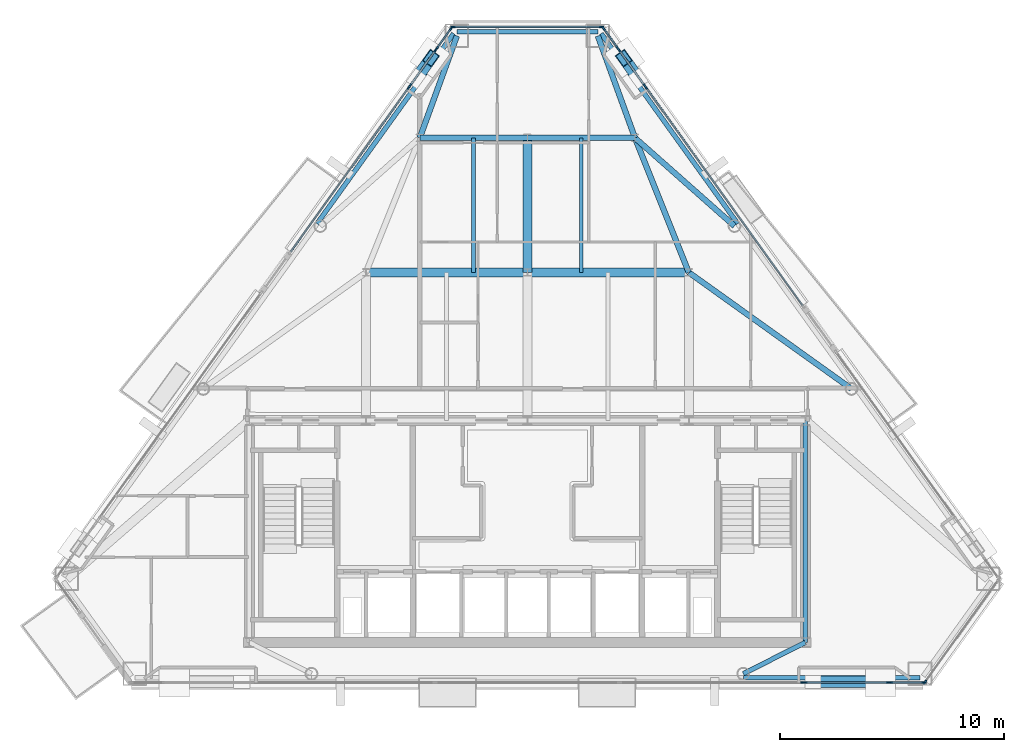
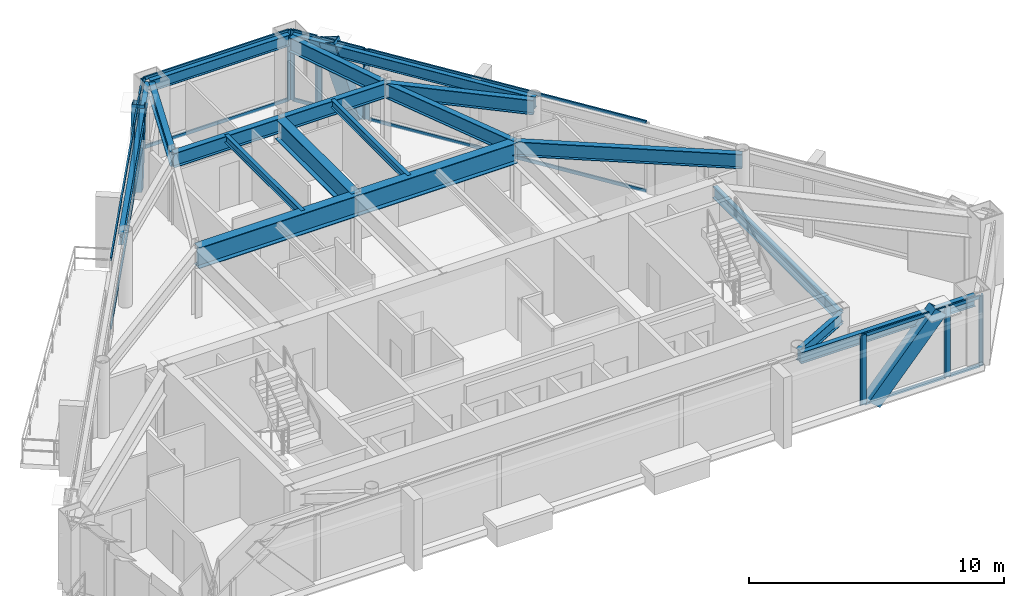
# One storey, part 4 of 11: 39 members, 18 beams, 11 elements without a shape of their own.
"""IFC4 building model written with IfcOpenShell, lengths in metres."""

from ifc_helpers import new_model, si_unit, direction, frame, origin, origin_2d, place, context, subcontext, project, spatial, rectangle, hollow_rectangle, i_section, extrude, material, layer, layer_set, material_profile, profile_set, type_object, element, aggregate, save


model = new_model("IFC4")

# Units and contexts
model_context = context("Model", 3, precision=1e-05, world=origin(), true_north=direction((0.0, 1.0)))
body_context = subcontext(model_context, "Body", "Model", "MODEL_VIEW")
ifc_project = project(units=[si_unit("LENGTHUNIT", "METRE"), si_unit("AREAUNIT", "SQUARE_METRE"), si_unit("VOLUMEUNIT", "CUBIC_METRE"), si_unit("PLANEANGLEUNIT", "RADIAN"), si_unit("MASSUNIT", "GRAM", prefix="KILO")], contexts=[model_context])

# Site, building, storey
site_placement = place(None, origin())
site = spatial("IfcSite", under=ifc_project, at=site_placement, CompositionType="ELEMENT")
building_placement = place(site_placement, origin())
building = spatial("IfcBuilding", under=site, at=building_placement, Name="Talgorran Terracotta Tower", CompositionType="ELEMENT")
storey_placement = place(building_placement, frame((0.0, 0.0, 203.699951171875)))
storey = spatial("IfcBuildingStorey", under=building, at=storey_placement, Name="L53", CompositionType="ELEMENT", Elevation=203.699951171875)

# Beams
ifc_material_1 = material(Name="Steel Grade 350 (350L0)", Category="steel")
ifc_material_profile_1 = material_profile(ifc_material_1, i_section(OverallWidth=0.39990234375, OverallDepth=1.0, WebThickness=0.01611328125, FlangeThickness=0.031005859375, at=origin_2d()), Name="1000WB296")
ifc_profile_set_1 = profile_set([ifc_material_profile_1], Name="Steel Grade 350 (350L0)")
beam_type_1 = type_object("IfcBeamType", Name="BM_1000WB296", PredefinedType="BEAM", material=ifc_profile_set_1)
for number, where, z_axis, x_axis, name in (
    (1, (-7.199951171875, 2.39990234375, 2.844970703125), (1.0, 0.0, 0.0), (0.0, 1.0, 0.0), "L53 Floor Girder G04"),
    (2, (0.0, 2.39990234375, 2.844970703125), (1.0, 0.0, 0.0), (0.0, 1.0, 0.0), "L53 Floor Girder G05"),
):
    element("IfcBeam", number, at=place(storey_placement, frame(where, z_axis=z_axis, x_axis=x_axis)), inside=storey, type_object=beam_type_1, Name=name, PredefinedType="BEAM", context=body_context, shape_type="SweptSolid", body=[
        extrude(i_section(OverallWidth=0.39990234375, OverallDepth=1.0, WebThickness=0.01611328125, FlangeThickness=0.031005859375, at=origin_2d()), origin(), (0.0, 0.0, 1.0), 7.199951171875),
    ])
beam_1_placement = place(storey_placement, frame((0.0, 2.39990234375, 2.844970703125), z_axis=(0.0, 1.0, 0.0), x_axis=(-1.0, 0.0, 0.0)))
element("IfcBeam", 3, at=beam_1_placement, inside=storey, type_object=beam_type_1, Name="L53 Floor Girder G09", PredefinedType="BEAM", context=body_context, shape_type="SweptSolid", body=[
    extrude(i_section(OverallWidth=0.39990234375, OverallDepth=1.0, WebThickness=0.01611328125, FlangeThickness=0.031005859375, at=origin_2d()), origin(), (0.0, 0.0, 1.0), 6.0),
])
ifc_material_2 = material(Name="Steel S355 (300PLUS)", Category="steel")
ifc_material_profile_2 = material_profile(ifc_material_2, i_section(OverallWidth=0.25, OverallDepth=0.699951171875, WebThickness=0.011962890625, FlangeThickness=0.02392578125, at=origin_2d()), Name="700WB150")
ifc_profile_set_2 = profile_set([ifc_material_profile_2], Name="Steel S355 (300PLUS)")
beam_type_2 = type_object("IfcBeamType", Name="BM_700WB150", PredefinedType="BEAM", material=ifc_profile_set_2)
beam_2_placement = place(storey_placement, frame((7.199951171875, 2.39990234375, 2.9951171875), z_axis=(0.813243309998, -0.581923808366, 0.0), x_axis=(0.581923808366, 0.813243309998, 0.0)))
element("IfcBeam", 4, at=beam_2_placement, inside=storey, type_object=beam_type_2, Name="L53 Floor Girder G07", PredefinedType="BEAM", context=body_context, shape_type="SweptSolid", body=[
    extrude(i_section(OverallWidth=0.25, OverallDepth=0.699951171875, WebThickness=0.011962890625, FlangeThickness=0.02392578125, at=origin_2d()), origin(), (0.0, 0.0, 1.0), 8.923583984375),
])
beam_3_placement = place(storey_placement, frame((7.199951171875, 2.39990234375, 2.9951171875), z_axis=(-0.371377648723, 0.928481901832, 0.0), x_axis=(-0.928481901832, -0.371377648723, 0.0)))
element("IfcBeam", 5, at=beam_3_placement, inside=storey, type_object=beam_type_2, Name="L53 Floor Girder G10", PredefinedType="BEAM", context=body_context, shape_type="SweptSolid", body=[
    extrude(i_section(OverallWidth=0.25, OverallDepth=0.699951171875, WebThickness=0.011962890625, FlangeThickness=0.02392578125, at=origin_2d()), origin(), (0.0, 0.0, 1.0), 6.462158203125),
])
for number, where, z_axis, x_axis, name in (
    (6, (-4.800048828125, 8.39990234375, 2.9951171875), (1.0, 0.0, 0.0), (0.0, 1.0, 0.0), "L53 Floor Girder G11"),
    (7, (0.0, 8.39990234375, 2.9951171875), (1.0, 0.0, 0.0), (0.0, 1.0, 0.0), "L53 Floor Girder G12"),
):
    element("IfcBeam", number, at=place(storey_placement, frame(where, z_axis=z_axis, x_axis=x_axis)), inside=storey, type_object=beam_type_2, Name=name, PredefinedType="BEAM", context=body_context, shape_type="SweptSolid", body=[
        extrude(i_section(OverallWidth=0.25, OverallDepth=0.699951171875, WebThickness=0.011962890625, FlangeThickness=0.02392578125, at=origin_2d()), origin(), (0.0, 0.0, 1.0), 4.800048828125),
    ])
beam_4_placement = place(storey_placement, frame((4.800048828125, 8.39990234375, 2.9951171875), z_axis=(0.748742442486, -0.662861037338, 0.0), x_axis=(0.662861037338, 0.748742442486, 0.0)))
element("IfcBeam", 8, at=beam_4_placement, inside=storey, type_object=beam_type_2, Name="L53 Floor Girder G14", PredefinedType="BEAM", context=body_context, shape_type="SweptSolid", body=[
    extrude(i_section(OverallWidth=0.25, OverallDepth=0.699951171875, WebThickness=0.011962890625, FlangeThickness=0.02392578125, at=origin_2d()), origin(), (0.0, 0.0, 1.0), 5.92431640625),
])
for number, where, z_axis, x_axis, name in (
    (9, (-4.800048828125, 8.39990234375, 2.9951171875), (0.341933346836, 0.939724207585, 0.0), (-0.939724207585, 0.341933346836, 0.0), "L53 Floor Girder G15"),
    (10, (4.800048828125, 8.39990234375, 2.9951171875), (-0.341933346836, 0.939724207585, 0.0), (-0.939724207585, -0.341933346836, 0.0), "L53 Floor Girder G16"),
):
    element("IfcBeam", number, at=place(storey_placement, frame(where, z_axis=z_axis, x_axis=x_axis)), inside=storey, type_object=beam_type_2, Name=name, PredefinedType="BEAM", context=body_context, shape_type="SweptSolid", body=[
        extrude(i_section(OverallWidth=0.25, OverallDepth=0.699951171875, WebThickness=0.011962890625, FlangeThickness=0.02392578125, at=origin_2d()), origin(), (0.0, 0.0, 1.0), 4.841552734375),
    ])
ifc_material_profile_3 = material_profile(ifc_material_2, i_section(OverallWidth=0.17138671875, OverallDepth=0.355712890625, WebThickness=0.00732421875, FlangeThickness=0.011474609375, at=origin_2d()), Name="360UB50.7")
ifc_profile_set_3 = profile_set([ifc_material_profile_3], Name="Steel S355 (300PLUS)")
beam_type_3 = type_object("IfcBeamType", Name="BM_JS_360UB51", PredefinedType="JOIST", material=ifc_profile_set_3)
for number, where, z_axis, x_axis, name in (
    (11, (-2.39990234375, 2.39990234375, 3.167236328125), (0.0, 1.0, 0.0), (-1.0, 0.0, 0.0), "L53 Secondary Joist J03"),
    (12, (2.39990234375, 2.39990234375, 3.167236328125), (0.0, 1.0, 0.0), (-1.0, 0.0, 0.0), "L53 Secondary Joist J04"),
):
    element("IfcBeam", number, at=place(storey_placement, frame(where, z_axis=z_axis, x_axis=x_axis)), inside=storey, type_object=beam_type_3, Name=name, PredefinedType="JOIST", context=body_context, shape_type="SweptSolid", body=[
        extrude(i_section(OverallWidth=0.17138671875, OverallDepth=0.355712890625, WebThickness=0.00732421875, FlangeThickness=0.011474609375, at=origin_2d()), origin(), (0.0, 0.0, 1.0), 6.0),
    ])
ifc_material_profile_4 = material_profile(ifc_material_2, i_section(OverallWidth=0.209228515625, OverallDepth=0.532958984375, WebThickness=0.01025390625, FlangeThickness=0.015625, at=origin_2d()), Name="530UB92.4")
ifc_profile_set_4 = profile_set([ifc_material_profile_4], Name="Steel S355 (300PLUS)")
beam_type_4 = type_object("IfcBeamType", Name="BM_SP_530UB92", PredefinedType="SPANDREL", material=ifc_profile_set_4)
beam_5_placement = place(storey_placement, frame((9.630859375, -15.6767578125, 3.07861328125), z_axis=(1.0, 0.0, 0.0), x_axis=(0.0, 1.0, 0.0)))
element("IfcBeam", 13, at=beam_5_placement, inside=storey, type_object=beam_type_4, Name="L53 Perimeter Spandrel Beam FC2-MC3", PredefinedType="SPANDREL", context=body_context, shape_type="SweptSolid", body=[
    extrude(i_section(OverallWidth=0.209228515625, OverallDepth=0.532958984375, WebThickness=0.01025390625, FlangeThickness=0.015625, at=origin_2d()), origin(), (0.0, 0.0, 1.0), 7.8798828125),
])
beam_6_placement = place(storey_placement, frame((9.382080078125, 4.577880859375, 3.07861328125), z_axis=(-0.583547851422, 0.812078755479, 0.0), x_axis=(-0.812078755479, -0.583547851422, 0.0)))
element("IfcBeam", 14, at=beam_6_placement, inside=storey, type_object=beam_type_4, Name="L53 Perimeter Spandrel Beam FC4-MC5", PredefinedType="SPANDREL", context=body_context, shape_type="SweptSolid", body=[
    extrude(i_section(OverallWidth=0.209228515625, OverallDepth=0.532958984375, WebThickness=0.01025390625, FlangeThickness=0.015625, at=origin_2d()), origin(), (0.0, 0.0, 1.0), 10.4384765625),
])
beam_7_placement = place(storey_placement, frame((3.14453125, 13.129638671875, 3.07861328125), z_axis=(-1.0, 0.0, 0.0), x_axis=(0.0, -1.0, 0.0)))
element("IfcBeam", 15, at=beam_7_placement, inside=storey, type_object=beam_type_4, Name="L53 Perimeter Spandrel Beam MC5-MC6", PredefinedType="SPANDREL", context=body_context, shape_type="SweptSolid", body=[
    extrude(i_section(OverallWidth=0.209228515625, OverallDepth=0.532958984375, WebThickness=0.01025390625, FlangeThickness=0.015625, at=origin_2d()), origin(), (0.0, 0.0, 1.0), 6.2890625),
])
beam_8_placement = place(storey_placement, frame((-3.290771484375, 13.0546875, 3.07861328125), z_axis=(-0.583547851422, -0.812078755479, 0.0), x_axis=(0.812078755479, -0.583547851422, 0.0)))
element("IfcBeam", 16, at=beam_8_placement, inside=storey, type_object=beam_type_4, Name="L53 Perimeter Spandrel Beam MC6-FC5", PredefinedType="SPANDREL", context=body_context, shape_type="SweptSolid", body=[
    extrude(i_section(OverallWidth=0.209228515625, OverallDepth=0.532958984375, WebThickness=0.01025390625, FlangeThickness=0.015625, at=origin_2d()), origin(), (0.0, 0.0, 1.0), 10.4384765625),
])
beam_9_placement = place(storey_placement, frame((12.39990234375, -14.10009765625, 3.07861328125), z_axis=(-0.892878892076, -0.450296884383, 0.0), x_axis=(0.450296884383, -0.892878892076, 0.0)))
element("IfcBeam", 17, at=beam_9_placement, inside=storey, type_object=beam_type_4, Name="L53 South-East Core Tie Beam", PredefinedType="SPANDREL", context=body_context, shape_type="SweptSolid", body=[
    extrude(i_section(OverallWidth=0.209228515625, OverallDepth=0.532958984375, WebThickness=0.01025390625, FlangeThickness=0.015625, at=origin_2d()), origin(), (0.0, 0.0, 1.0), 3.101318359375),
])
beam_10_placement = place(storey_placement, frame((12.39990234375, -14.10009765625, 3.07861328125), z_axis=(0.0, 1.0, 0.0), x_axis=(-1.0, 0.0, 0.0)))
element("IfcBeam", 18, at=beam_10_placement, inside=storey, type_object=beam_type_4, Name="L53 Core Frame Beam CFE", PredefinedType="SPANDREL", context=body_context, shape_type="SweptSolid", body=[
    extrude(i_section(OverallWidth=0.209228515625, OverallDepth=0.532958984375, WebThickness=0.01025390625, FlangeThickness=0.015625, at=origin_2d()), origin(), (0.0, 0.0, 1.0), 9.900146484375),
])

# Members
ifc_material_profile_5 = material_profile(ifc_material_1, hollow_rectangle(XDim=0.52001953125, YDim=0.659912109375, WallThickness=0.034912109375, at=origin_2d()), Name="WBOX660X520X35")
ifc_profile_set_5 = profile_set([ifc_material_profile_5], Name="Steel Grade 350 (350L0)")
member_type_1 = type_object("IfcMemberType", Name="MB_MEGA_660", PredefinedType="BRACE", material=ifc_profile_set_5)
member_1_placement = place(storey_placement, frame((12.740478515625, -15.856689453125, -0.02490234375), z_axis=(0.663193790905, 0.0, 0.748447724097), x_axis=(0.0, 1.0, 0.0)))
element("IfcMember", 19, at=member_1_placement, inside=storey, type_object=member_type_1, Name="L53 Exterior Face Mega-Brace MB-3 (SEF)", PredefinedType="BRACE", context=body_context, shape_type="SweptSolid", body=[
    extrude(hollow_rectangle(XDim=0.52001953125, YDim=0.659912109375, WallThickness=0.034912109375, at=origin_2d()), origin(), (0.0, 0.0, 1.0), 4.5361328125),
])
for number, where, z_axis, x_axis, name in (
    (20, (4.9541015625, 11.04833984375, -0.02490234375), (-0.182817156925, 0.254386966584, 0.949665814045), (-0.812050884366, -0.583586635557, 0.0), "L53 Exterior Face Mega-Brace MB-3 (NEU)"),
    (21, (-4.9541015625, 11.04833984375, -0.02490234375), (0.182817156925, 0.254386966584, 0.949665814045), (-0.812050884366, 0.583586635557, 0.0), "L53 Exterior Face Mega-Brace MB-3 (NWU)"),
):
    element("IfcMember", number, at=place(storey_placement, frame(where, z_axis=z_axis, x_axis=x_axis)), inside=storey, type_object=member_type_1, Name=name, PredefinedType="BRACE", context=body_context, shape_type="SweptSolid", body=[
        extrude(hollow_rectangle(XDim=0.52001953125, YDim=0.659912109375, WallThickness=0.034912109375, at=origin_2d()), origin(), (0.0, 0.0, 1.0), 3.574951171875),
    ])

# Curtain wall, member
ifc_material_3 = material(Name="High-Wind Unitised Glazing", Category="glass")
ifc_layer = layer(ifc_material_3, 0.2099609375, Name="CW_SYS3_RES_HIGH")
ifc_layer_set = layer_set([ifc_layer], Name="High-Wind Unitised Glazing")
curtain_wall_type = type_object("IfcCurtainWallType", Name="CW_SYS3_RES_HIGH", PredefinedType="NOTDEFINED", material=ifc_layer_set)
curtain_wall_1_placement = place(storey_placement, origin())
curtain_wall_1 = element("IfcCurtainWall", 22, at=curtain_wall_1_placement, inside=storey, type_object=curtain_wall_type, Name="CW-L53-F1C", PredefinedType="NOTDEFINED")
ifc_material_4 = material(Name="Architectural Aluminium 6063-T6", Category="aluminium")
ifc_material_profile_6 = material_profile(ifc_material_4, rectangle(XDim=0.070068359375, YDim=0.199951171875, at=origin_2d()), Name="CWM70X200")
ifc_profile_set_6 = profile_set([ifc_material_profile_6], Name="Architectural Aluminium 6063-T6")
member_type_2 = type_object("IfcMemberType", Name="MUL_70X200", PredefinedType="MULLION", material=ifc_profile_set_6)
member_2_placement = place(storey_placement, frame((12.3037109375, -15.896728515625, 0.0), z_axis=(0.0, 0.0, 1.0), x_axis=(0.0, 1.0, 0.0)))
member_2 = element("IfcMember", 23, at=member_2_placement, type_object=member_type_2, Name="CW-L53-1C mullion 4", PredefinedType="MULLION", context=body_context, shape_type="SweptSolid", body=[
    extrude(rectangle(XDim=0.070068359375, YDim=0.199951171875, at=origin_2d()), origin(), (0.0, 0.0, 1.0), 3.344970703125),
])
aggregate(curtain_wall_1, [member_2])

# Curtain wall, members
curtain_wall_2_placement = place(storey_placement, origin())
curtain_wall_2 = element("IfcCurtainWall", 24, at=curtain_wall_2_placement, inside=storey, type_object=curtain_wall_type, Name="CW-L53-F1D", PredefinedType="NOTDEFINED")
member_3_placement = place(storey_placement, frame((12.383544921875, -15.896728515625, 0.0), z_axis=(0.0, 0.0, 1.0), x_axis=(0.0, 1.0, 0.0)))
member_3 = element("IfcMember", 25, at=member_3_placement, type_object=member_type_2, Name="CW-L53-1D mullion 1", PredefinedType="MULLION", context=body_context, shape_type="SweptSolid", body=[
    extrude(rectangle(XDim=0.070068359375, YDim=0.199951171875, at=origin_2d()), origin(), (0.0, 0.0, 1.0), 3.344970703125),
])
member_4_placement = place(storey_placement, frame((16.105712890625, -15.896728515625, 0.0), z_axis=(0.0, 0.0, 1.0), x_axis=(0.0, 1.0, 0.0)))
member_4 = element("IfcMember", 26, at=member_4_placement, type_object=member_type_2, Name="CW-L53-1D mullion 2", PredefinedType="MULLION", context=body_context, shape_type="SweptSolid", body=[
    extrude(rectangle(XDim=0.070068359375, YDim=0.199951171875, at=origin_2d()), origin(), (0.0, 0.0, 1.0), 3.344970703125),
])

curtain_wall_3_placement = place(storey_placement, origin())
curtain_wall_3 = element("IfcCurtainWall", 27, at=curtain_wall_3_placement, inside=storey, type_object=curtain_wall_type, Name="CW-L53-F1E", PredefinedType="NOTDEFINED")
member_5_placement = place(storey_placement, frame((16.185791015625, -15.896728515625, 0.0), z_axis=(0.0, 0.0, 1.0), x_axis=(0.0, 1.0, 0.0)))
member_5 = element("IfcMember", 28, at=member_5_placement, type_object=member_type_2, Name="CW-L53-1E mullion 1", PredefinedType="MULLION", context=body_context, shape_type="SweptSolid", body=[
    extrude(rectangle(XDim=0.070068359375, YDim=0.199951171875, at=origin_2d()), origin(), (0.0, 0.0, 1.0), 3.344970703125),
])
member_6_placement = place(storey_placement, frame((17.680908203125, -15.896728515625, 0.0), z_axis=(0.0, 0.0, 1.0), x_axis=(0.0, 1.0, 0.0)))
member_6 = element("IfcMember", 29, at=member_6_placement, type_object=member_type_2, Name="CW-L53-1E mullion 2", PredefinedType="MULLION", context=body_context, shape_type="SweptSolid", body=[
    extrude(rectangle(XDim=0.070068359375, YDim=0.199951171875, at=origin_2d()), origin(), (0.0, 0.0, 1.0), 3.344970703125),
])

# Curtain wall, member
curtain_wall_4_placement = place(storey_placement, origin())
curtain_wall_4 = element("IfcCurtainWall", 30, at=curtain_wall_4_placement, inside=storey, type_object=curtain_wall_type, Name="CW-L53-F2", PredefinedType="NOTDEFINED")
member_7_placement = place(storey_placement, frame((17.736328125, -15.8681640625, 0.0), z_axis=(0.0, 0.0, 1.0), x_axis=(-0.812075928954, 0.58355178486, 0.0)))
member_7 = element("IfcMember", 31, at=member_7_placement, type_object=member_type_2, Name="CW-L53-2 mullion 1", PredefinedType="MULLION", context=body_context, shape_type="SweptSolid", body=[
    extrude(rectangle(XDim=0.070068359375, YDim=0.199951171875, at=origin_2d()), origin(), (0.0, 0.0, 1.0), 3.344970703125),
])
aggregate(curtain_wall_4, [member_7])

curtain_wall_5_placement = place(storey_placement, origin())
curtain_wall_5 = element("IfcCurtainWall", 32, at=curtain_wall_5_placement, inside=storey, type_object=curtain_wall_type, Name="CW-L53-F41", PredefinedType="NOTDEFINED")
member_8_placement = place(storey_placement, frame((5.280517578125, 10.662841796875, 0.0), z_axis=(0.0, 0.0, 1.0), x_axis=(-0.812075370383, -0.583552562172, 0.0)))
member_8 = element("IfcMember", 33, at=member_8_placement, type_object=member_type_2, Name="CW-L53-41 mullion 2", PredefinedType="MULLION", context=body_context, shape_type="SweptSolid", body=[
    extrude(rectangle(XDim=0.070068359375, YDim=0.199951171875, at=origin_2d()), origin(), (0.0, 0.0, 1.0), 3.344970703125),
])

# Curtain wall, members
curtain_wall_6_placement = place(storey_placement, origin())
curtain_wall_6 = element("IfcCurtainWall", 34, at=curtain_wall_6_placement, inside=storey, type_object=curtain_wall_type, Name="CW-L53-F41B", PredefinedType="NOTDEFINED")
member_9_placement = place(storey_placement, frame((5.23388671875, 10.727783203125, 0.0), z_axis=(0.0, 0.0, 1.0), x_axis=(-0.81206481321, -0.583567253318, 0.0)))
member_9 = element("IfcMember", 35, at=member_9_placement, type_object=member_type_2, Name="CW-L53-41B mullion 1", PredefinedType="MULLION", context=body_context, shape_type="SweptSolid", body=[
    extrude(rectangle(XDim=0.070068359375, YDim=0.199951171875, at=origin_2d()), origin(), (0.0, 0.0, 1.0), 3.344970703125),
])
member_10_placement = place(storey_placement, frame((4.0859375, 12.324951171875, 0.0), z_axis=(0.0, 0.0, 1.0), x_axis=(-0.81206481321, -0.583567253318, 0.0)))
member_10 = element("IfcMember", 36, at=member_10_placement, type_object=member_type_2, Name="CW-L53-41B mullion 2", PredefinedType="MULLION", context=body_context, shape_type="SweptSolid", body=[
    extrude(rectangle(XDim=0.070068359375, YDim=0.199951171875, at=origin_2d()), origin(), (0.0, 0.0, 1.0), 3.344970703125),
])

curtain_wall_7_placement = place(storey_placement, origin())
curtain_wall_7 = element("IfcCurtainWall", 37, at=curtain_wall_7_placement, inside=storey, type_object=curtain_wall_type, Name="CW-L53-F41C", PredefinedType="NOTDEFINED")
member_11_placement = place(storey_placement, frame((4.039306640625, 12.389892578125, 0.0), z_axis=(0.0, 0.0, 1.0), x_axis=(-0.812070744349, -0.583558999735, 0.0)))
member_11 = element("IfcMember", 38, at=member_11_placement, type_object=member_type_2, Name="CW-L53-41C mullion 1", PredefinedType="MULLION", context=body_context, shape_type="SweptSolid", body=[
    extrude(rectangle(XDim=0.070068359375, YDim=0.199951171875, at=origin_2d()), origin(), (0.0, 0.0, 1.0), 3.344970703125),
])
member_12_placement = place(storey_placement, frame((3.3935546875, 13.28857421875, 0.0), z_axis=(0.0, 0.0, 1.0), x_axis=(-0.812070744349, -0.583558999735, 0.0)))
member_12 = element("IfcMember", 39, at=member_12_placement, type_object=member_type_2, Name="CW-L53-41C mullion 2", PredefinedType="MULLION", context=body_context, shape_type="SweptSolid", body=[
    extrude(rectangle(XDim=0.070068359375, YDim=0.199951171875, at=origin_2d()), origin(), (0.0, 0.0, 1.0), 3.344970703125),
])

curtain_wall_8_placement = place(storey_placement, origin())
curtain_wall_8 = element("IfcCurtainWall", 40, at=curtain_wall_8_placement, inside=storey, type_object=curtain_wall_type, Name="CW-L53-F4", PredefinedType="NOTDEFINED")
member_13_placement = place(storey_placement, frame((3.314697265625, 13.349609375, 0.0), z_axis=(0.0, 0.0, 1.0), x_axis=(0.0, -1.0, 0.0)))
member_13 = element("IfcMember", 41, at=member_13_placement, type_object=member_type_2, Name="CW-L53-4 mullion 1", PredefinedType="MULLION", context=body_context, shape_type="SweptSolid", body=[
    extrude(rectangle(XDim=0.070068359375, YDim=0.199951171875, at=origin_2d()), origin(), (0.0, 0.0, 1.0), 3.344970703125),
])
member_14_placement = place(storey_placement, frame((-3.314697265625, 13.349609375, 0.0), z_axis=(0.0, 0.0, 1.0), x_axis=(0.0, -1.0, 0.0)))
member_14 = element("IfcMember", 42, at=member_14_placement, type_object=member_type_2, Name="CW-L53-4 mullion 2", PredefinedType="MULLION", context=body_context, shape_type="SweptSolid", body=[
    extrude(rectangle(XDim=0.070068359375, YDim=0.199951171875, at=origin_2d()), origin(), (0.0, 0.0, 1.0), 3.344970703125),
])

curtain_wall_9_placement = place(storey_placement, origin())
curtain_wall_9 = element("IfcCurtainWall", 43, at=curtain_wall_9_placement, inside=storey, type_object=curtain_wall_type, Name="CW-L53-F60", PredefinedType="NOTDEFINED")
member_15_placement = place(storey_placement, frame((-3.3935546875, 13.28857421875, 0.0), z_axis=(0.0, 0.0, 1.0), x_axis=(0.812070744349, -0.583558999735, 0.0)))
member_15 = element("IfcMember", 44, at=member_15_placement, type_object=member_type_2, Name="CW-L53-60 mullion 1", PredefinedType="MULLION", context=body_context, shape_type="SweptSolid", body=[
    extrude(rectangle(XDim=0.070068359375, YDim=0.199951171875, at=origin_2d()), origin(), (0.0, 0.0, 1.0), 3.344970703125),
])
member_16_placement = place(storey_placement, frame((-4.039306640625, 12.389892578125, 0.0), z_axis=(0.0, 0.0, 1.0), x_axis=(0.812070744349, -0.583558999735, 0.0)))
member_16 = element("IfcMember", 45, at=member_16_placement, type_object=member_type_2, Name="CW-L53-60 mullion 2", PredefinedType="MULLION", context=body_context, shape_type="SweptSolid", body=[
    extrude(rectangle(XDim=0.070068359375, YDim=0.199951171875, at=origin_2d()), origin(), (0.0, 0.0, 1.0), 3.344970703125),
])

curtain_wall_10_placement = place(storey_placement, origin())
curtain_wall_10 = element("IfcCurtainWall", 46, at=curtain_wall_10_placement, inside=storey, type_object=curtain_wall_type, Name="CW-L53-F60B", PredefinedType="NOTDEFINED")
member_17_placement = place(storey_placement, frame((-4.0859375, 12.324951171875, 0.0), z_axis=(0.0, 0.0, 1.0), x_axis=(0.81206481321, -0.583567253318, 0.0)))
member_17 = element("IfcMember", 47, at=member_17_placement, type_object=member_type_2, Name="CW-L53-60B mullion 1", PredefinedType="MULLION", context=body_context, shape_type="SweptSolid", body=[
    extrude(rectangle(XDim=0.070068359375, YDim=0.199951171875, at=origin_2d()), origin(), (0.0, 0.0, 1.0), 3.344970703125),
])
member_18_placement = place(storey_placement, frame((-5.23388671875, 10.727783203125, 0.0), z_axis=(0.0, 0.0, 1.0), x_axis=(0.81206481321, -0.583567253318, 0.0)))
member_18 = element("IfcMember", 48, at=member_18_placement, type_object=member_type_2, Name="CW-L53-60B mullion 2", PredefinedType="MULLION", context=body_context, shape_type="SweptSolid", body=[
    extrude(rectangle(XDim=0.070068359375, YDim=0.199951171875, at=origin_2d()), origin(), (0.0, 0.0, 1.0), 3.344970703125),
])

# Curtain wall, member
curtain_wall_11_placement = place(storey_placement, origin())
curtain_wall_11 = element("IfcCurtainWall", 49, at=curtain_wall_11_placement, inside=storey, type_object=curtain_wall_type, Name="CW-L53-F60C", PredefinedType="NOTDEFINED")
member_19_placement = place(storey_placement, frame((-5.280517578125, 10.662841796875, 0.0), z_axis=(0.0, 0.0, 1.0), x_axis=(0.81207174023, -0.583557613882, 0.0)))
member_19 = element("IfcMember", 50, at=member_19_placement, type_object=member_type_2, Name="CW-L53-60C mullion 1", PredefinedType="MULLION", context=body_context, shape_type="SweptSolid", body=[
    extrude(rectangle(XDim=0.070068359375, YDim=0.199951171875, at=origin_2d()), origin(), (0.0, 0.0, 1.0), 3.344970703125),
])

# Member
ifc_material_profile_7 = material_profile(ifc_material_4, rectangle(XDim=0.070068359375, YDim=0.159912109375, at=origin_2d()), Name="CWT70X160")
ifc_profile_set_7 = profile_set([ifc_material_profile_7], Name="Architectural Aluminium 6063-T6")
member_type_3 = type_object("IfcMemberType", Name="TRN_70X160", PredefinedType="USERDEFINED", material=ifc_profile_set_7)
member_20_placement = place(storey_placement, frame((12.418701171875, -15.896728515625, 0.03515625), z_axis=(1.0, 0.0, 0.0), x_axis=(0.0, 1.0, 0.0)))
member_20 = element("IfcMember", 51, at=member_20_placement, type_object=member_type_3, Name="CW-L53-1D transom 1.1", ObjectType="TRANSOM", PredefinedType="USERDEFINED", context=body_context, shape_type="SweptSolid", body=[
    extrude(rectangle(XDim=0.070068359375, YDim=0.159912109375, at=origin_2d()), origin(), (0.0, 0.0, 1.0), 3.652099609375),
])

member_21_placement = place(storey_placement, frame((12.418701171875, -15.896728515625, 3.31005859375), z_axis=(1.0, 0.0, 0.0), x_axis=(0.0, 1.0, 0.0)))
member_21 = element("IfcMember", 52, at=member_21_placement, type_object=member_type_3, Name="CW-L53-1D transom 1.2", ObjectType="TRANSOM", PredefinedType="USERDEFINED", context=body_context, shape_type="SweptSolid", body=[
    extrude(rectangle(XDim=0.070068359375, YDim=0.159912109375, at=origin_2d()), origin(), (0.0, 0.0, 1.0), 3.652099609375),
])

aggregate(curtain_wall_2, [member_3, member_4, member_20, member_21])

member_22_placement = place(storey_placement, frame((16.220703125, -15.896728515625, 0.03515625), z_axis=(1.0, 0.0, 0.0), x_axis=(0.0, 1.0, 0.0)))
member_22 = element("IfcMember", 53, at=member_22_placement, type_object=member_type_3, Name="CW-L53-1E transom 1.1", ObjectType="TRANSOM", PredefinedType="USERDEFINED", context=body_context, shape_type="SweptSolid", body=[
    extrude(rectangle(XDim=0.070068359375, YDim=0.159912109375, at=origin_2d()), origin(), (0.0, 0.0, 1.0), 1.42529296875),
])

member_23_placement = place(storey_placement, frame((16.220703125, -15.896728515625, 3.31005859375), z_axis=(1.0, 0.0, 0.0), x_axis=(0.0, 1.0, 0.0)))
member_23 = element("IfcMember", 54, at=member_23_placement, type_object=member_type_3, Name="CW-L53-1E transom 1.2", ObjectType="TRANSOM", PredefinedType="USERDEFINED", context=body_context, shape_type="SweptSolid", body=[
    extrude(rectangle(XDim=0.070068359375, YDim=0.159912109375, at=origin_2d()), origin(), (0.0, 0.0, 1.0), 1.42529296875),
])

aggregate(curtain_wall_3, [member_5, member_6, member_22, member_23])

member_24_placement = place(storey_placement, frame((12.27685546875, 0.9267578125, 0.03515625), z_axis=(-0.583569556064, 0.812063158403, 0.0), x_axis=(-0.812063158403, -0.583569556064, 0.0)))
member_24 = element("IfcMember", 55, at=member_24_placement, type_object=member_type_3, Name="CW-L53-41 transom 1.1", ObjectType="TRANSOM", PredefinedType="USERDEFINED", context=body_context, shape_type="SweptSolid", body=[
    extrude(rectangle(XDim=0.070068359375, YDim=0.159912109375, at=origin_2d()), origin(), (0.0, 0.0, 1.0), 11.9541015625),
])

member_25_placement = place(storey_placement, frame((12.27685546875, 0.9267578125, 3.31005859375), z_axis=(-0.583569556064, 0.812063158403, 0.0), x_axis=(-0.812063158403, -0.583569556064, 0.0)))
member_25 = element("IfcMember", 56, at=member_25_placement, type_object=member_type_3, Name="CW-L53-41 transom 1.2", ObjectType="TRANSOM", PredefinedType="USERDEFINED", context=body_context, shape_type="SweptSolid", body=[
    extrude(rectangle(XDim=0.070068359375, YDim=0.159912109375, at=origin_2d()), origin(), (0.0, 0.0, 1.0), 11.9541015625),
])

aggregate(curtain_wall_5, [member_8, member_24, member_25])

member_26_placement = place(storey_placement, frame((5.21337890625, 10.75634765625, 0.03515625), z_axis=(-0.583585655769, 0.812051588497, 0.0), x_axis=(-0.812051588497, -0.583585655769, 0.0)))
member_26 = element("IfcMember", 57, at=member_26_placement, type_object=member_type_3, Name="CW-L53-41B transom 1.1", ObjectType="TRANSOM", PredefinedType="USERDEFINED", context=body_context, shape_type="SweptSolid", body=[
    extrude(rectangle(XDim=0.070068359375, YDim=0.159912109375, at=origin_2d()), origin(), (0.0, 0.0, 1.0), 1.896728515625),
])

member_27_placement = place(storey_placement, frame((5.21337890625, 10.75634765625, 3.31005859375), z_axis=(-0.583585655769, 0.812051588497, 0.0), x_axis=(-0.812051588497, -0.583585655769, 0.0)))
member_27 = element("IfcMember", 58, at=member_27_placement, type_object=member_type_3, Name="CW-L53-41B transom 1.2", ObjectType="TRANSOM", PredefinedType="USERDEFINED", context=body_context, shape_type="SweptSolid", body=[
    extrude(rectangle(XDim=0.070068359375, YDim=0.159912109375, at=origin_2d()), origin(), (0.0, 0.0, 1.0), 1.896728515625),
])

aggregate(curtain_wall_6, [member_9, member_10, member_26, member_27])

member_28_placement = place(storey_placement, frame((4.01904296875, 12.41845703125, 0.03515625), z_axis=(-0.58359722526, 0.812043273889, 0.0), x_axis=(-0.812043273889, -0.58359722526, 0.0)))
member_28 = element("IfcMember", 59, at=member_28_placement, type_object=member_type_3, Name="CW-L53-41C transom 1.1", ObjectType="TRANSOM", PredefinedType="USERDEFINED", context=body_context, shape_type="SweptSolid", body=[
    extrude(rectangle(XDim=0.070068359375, YDim=0.159912109375, at=origin_2d()), origin(), (0.0, 0.0, 1.0), 1.03662109375),
])

member_29_placement = place(storey_placement, frame((4.01904296875, 12.41845703125, 3.31005859375), z_axis=(-0.58359722526, 0.812043273889, 0.0), x_axis=(-0.812043273889, -0.58359722526, 0.0)))
member_29 = element("IfcMember", 60, at=member_29_placement, type_object=member_type_3, Name="CW-L53-41C transom 1.2", ObjectType="TRANSOM", PredefinedType="USERDEFINED", context=body_context, shape_type="SweptSolid", body=[
    extrude(rectangle(XDim=0.070068359375, YDim=0.159912109375, at=origin_2d()), origin(), (0.0, 0.0, 1.0), 1.03662109375),
])

aggregate(curtain_wall_7, [member_11, member_12, member_28, member_29])

member_30_placement = place(storey_placement, frame((3.27978515625, 13.349609375, 0.03515625), z_axis=(-1.0, 0.0, 0.0), x_axis=(0.0, -1.0, 0.0)))
member_30 = element("IfcMember", 61, at=member_30_placement, type_object=member_type_3, Name="CW-L53-4 transom 1.1", ObjectType="TRANSOM", PredefinedType="USERDEFINED", context=body_context, shape_type="SweptSolid", body=[
    extrude(rectangle(XDim=0.070068359375, YDim=0.159912109375, at=origin_2d()), origin(), (0.0, 0.0, 1.0), 6.5595703125),
])

member_31_placement = place(storey_placement, frame((3.27978515625, 13.349609375, 3.31005859375), z_axis=(-1.0, 0.0, 0.0), x_axis=(0.0, -1.0, 0.0)))
member_31 = element("IfcMember", 62, at=member_31_placement, type_object=member_type_3, Name="CW-L53-4 transom 1.2", ObjectType="TRANSOM", PredefinedType="USERDEFINED", context=body_context, shape_type="SweptSolid", body=[
    extrude(rectangle(XDim=0.070068359375, YDim=0.159912109375, at=origin_2d()), origin(), (0.0, 0.0, 1.0), 6.5595703125),
])

aggregate(curtain_wall_8, [member_13, member_14, member_30, member_31])

member_32_placement = place(storey_placement, frame((-3.4140625, 13.26025390625, 0.03515625), z_axis=(-0.58359722526, -0.812043273889, 0.0), x_axis=(0.812043273889, -0.58359722526, 0.0)))
member_32 = element("IfcMember", 63, at=member_32_placement, type_object=member_type_3, Name="CW-L53-60 transom 1.1", ObjectType="TRANSOM", PredefinedType="USERDEFINED", context=body_context, shape_type="SweptSolid", body=[
    extrude(rectangle(XDim=0.070068359375, YDim=0.159912109375, at=origin_2d()), origin(), (0.0, 0.0, 1.0), 1.03662109375),
])

member_33_placement = place(storey_placement, frame((-3.4140625, 13.26025390625, 3.31005859375), z_axis=(-0.58359722526, -0.812043273889, 0.0), x_axis=(0.812043273889, -0.58359722526, 0.0)))
member_33 = element("IfcMember", 64, at=member_33_placement, type_object=member_type_3, Name="CW-L53-60 transom 1.2", ObjectType="TRANSOM", PredefinedType="USERDEFINED", context=body_context, shape_type="SweptSolid", body=[
    extrude(rectangle(XDim=0.070068359375, YDim=0.159912109375, at=origin_2d()), origin(), (0.0, 0.0, 1.0), 1.03662109375),
])

aggregate(curtain_wall_9, [member_15, member_16, member_32, member_33])

member_34_placement = place(storey_placement, frame((-4.1064453125, 12.296630859375, 0.03515625), z_axis=(-0.583585655769, -0.812051588497, 0.0), x_axis=(0.812051588497, -0.583585655769, 0.0)))
member_34 = element("IfcMember", 65, at=member_34_placement, type_object=member_type_3, Name="CW-L53-60B transom 1.1", ObjectType="TRANSOM", PredefinedType="USERDEFINED", context=body_context, shape_type="SweptSolid", body=[
    extrude(rectangle(XDim=0.070068359375, YDim=0.159912109375, at=origin_2d()), origin(), (0.0, 0.0, 1.0), 1.896728515625),
])

member_35_placement = place(storey_placement, frame((-4.1064453125, 12.296630859375, 3.31005859375), z_axis=(-0.583585655769, -0.812051588497, 0.0), x_axis=(0.812051588497, -0.583585655769, 0.0)))
member_35 = element("IfcMember", 66, at=member_35_placement, type_object=member_type_3, Name="CW-L53-60B transom 1.2", ObjectType="TRANSOM", PredefinedType="USERDEFINED", context=body_context, shape_type="SweptSolid", body=[
    extrude(rectangle(XDim=0.070068359375, YDim=0.159912109375, at=origin_2d()), origin(), (0.0, 0.0, 1.0), 1.896728515625),
])

aggregate(curtain_wall_10, [member_17, member_18, member_34, member_35])

member_36_placement = place(storey_placement, frame((-5.30078125, 10.634521484375, 0.03515625), z_axis=(-0.583565080066, -0.812066374952, 0.0), x_axis=(0.812066374952, -0.583565080066, 0.0)))
member_36 = element("IfcMember", 67, at=member_36_placement, type_object=member_type_3, Name="CW-L53-60C transom 1.1", ObjectType="TRANSOM", PredefinedType="USERDEFINED", context=body_context, shape_type="SweptSolid", body=[
    extrude(rectangle(XDim=0.070068359375, YDim=0.159912109375, at=origin_2d()), origin(), (0.0, 0.0, 1.0), 9.002685546875),
])

member_37_placement = place(storey_placement, frame((-5.30078125, 10.634521484375, 3.31005859375), z_axis=(-0.583565080066, -0.812066374952, 0.0), x_axis=(0.812066374952, -0.583565080066, 0.0)))
member_37 = element("IfcMember", 68, at=member_37_placement, type_object=member_type_3, Name="CW-L53-60C transom 1.2", ObjectType="TRANSOM", PredefinedType="USERDEFINED", context=body_context, shape_type="SweptSolid", body=[
    extrude(rectangle(XDim=0.070068359375, YDim=0.159912109375, at=origin_2d()), origin(), (0.0, 0.0, 1.0), 9.002685546875),
])

aggregate(curtain_wall_11, [member_19, member_36, member_37])

save(model, "model.ifc")
